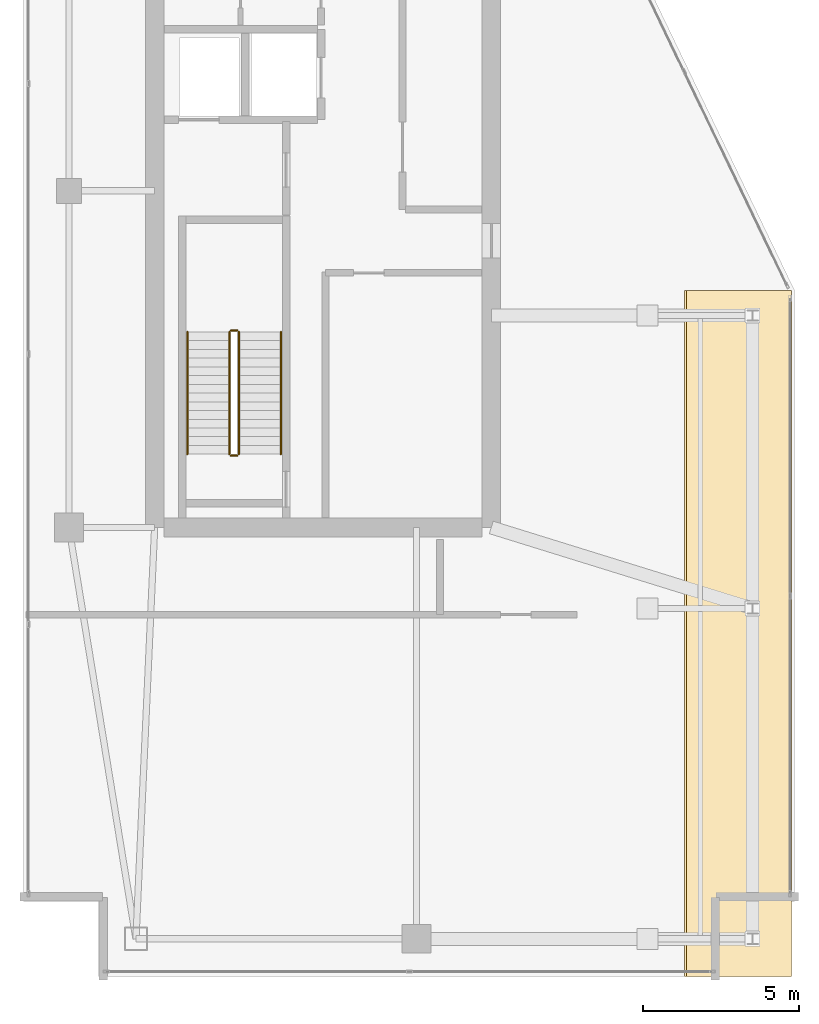
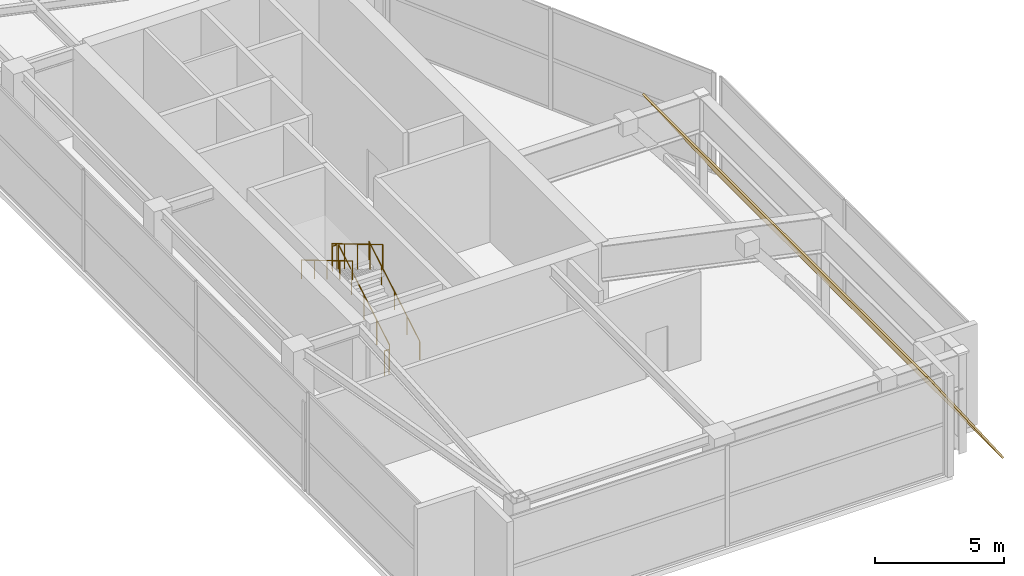
# One storey, part 19 of 20: 6 railings, 1 covering.
"""IFC4 building model written with IfcOpenShell, lengths in metres."""

from ifc_helpers import new_model, si_unit, direction, frame, origin, origin_2d, place, context, subcontext, project, spatial, polyline, circle, outline, extrude, material, layer, layer_set, type_object, element, save


model = new_model("IFC4")

# Units and contexts
model_context = context("Model", 3, precision=1e-05, world=origin(), true_north=direction((0.0, 1.0)))
body_context = subcontext(model_context, "Body", "Model", "MODEL_VIEW")
ifc_project = project(units=[si_unit("LENGTHUNIT", "METRE"), si_unit("AREAUNIT", "SQUARE_METRE"), si_unit("VOLUMEUNIT", "CUBIC_METRE"), si_unit("PLANEANGLEUNIT", "RADIAN"), si_unit("MASSUNIT", "GRAM", prefix="KILO")], contexts=[model_context])

# Site, building, storey
site_placement = place(None, origin())
site = spatial("IfcSite", under=ifc_project, at=site_placement, CompositionType="ELEMENT")
building_placement = place(site_placement, origin())
building = spatial("IfcBuilding", under=site, at=building_placement, Name="Calvorn Quay Hotel", CompositionType="ELEMENT")
storey_placement = place(building_placement, frame((0.0, 0.0, 335.5)))
storey = spatial("IfcBuildingStorey", under=building, at=storey_placement, Name="L82", CompositionType="ELEMENT", Elevation=335.5)

# Covering
ifc_material_1 = material(Name="Insulated Elastomeric Waterproof Roofing")
ifc_layer = layer(ifc_material_1, 0.080078125)
ifc_layer_set = layer_set([ifc_layer], Name="COV-ROOF-MEMBRANE")
covering_type = type_object("IfcCoveringType", Name="COV-ROOF-MEMBRANE", PredefinedType="ROOFING", material=ifc_layer_set)
covering_placement = place(storey_placement, frame((21.26708984375, 2.39990234375, 5.0), z_axis=(0.829543002826, 0.0, 0.558442840819), x_axis=(0.558442840819, 0.0, -0.829543002826)))
element("IfcCovering", 1, at=covering_placement, inside=storey, type_object=covering_type, Name="Slanted-Cut Crown Roof Cladding L82", PredefinedType="ROOFING", context=body_context, shape_type="SweptSolid", body=[
    extrude(outline(polyline([(0.0, 0.0), (6.027415074280595, 0.0), (6.027415074280595, 22.0), (0.0, 22.0), (0.0, 0.0)])), origin(), (0.0, 0.0, -1.0), 0.080078125),
])

# Railings
ifc_material_2 = material(Name="Brushed Stainless Steel Handrail", Category="steel")
railing_type_1 = type_object("IfcRailingType", Name="RLG-HANDRAIL-900", PredefinedType="HANDRAIL", material=ifc_material_2)
railing_1_placement = place(storey_placement, frame((8.25, 19.14990234375, 0.166748046875)))
element("IfcRailing", 2, at=railing_1_placement, inside=storey, type_object=railing_type_1, Name="L82 ST-W stair handrail 1", PredefinedType="HANDRAIL", context=body_context, shape_type="SweptSolid", body=[
    extrude(circle(Radius=0.02392578125, at=origin_2d()), frame((0.0, 0.0, 0.8759765625), z_axis=(0.0, 0.859310244771, 0.511454693235), x_axis=(-1.0, 0.0, 0.0)), (0.0, 0.0, 1.0), 4.56201171875),
    extrude(circle(Radius=0.02099609375, at=origin_2d()), origin(), (0.0, 0.0, 1.0), 0.851806640625),
    extrude(circle(Radius=0.02099609375, at=origin_2d()), frame((0.0, 0.97998046875, 0.583251953125)), (0.0, 0.0, 1.0), 0.851806640625),
    extrude(circle(Radius=0.02099609375, at=origin_2d()), frame((0.0, 1.9599609375, 1.16650390625)), (0.0, 0.0, 1.0), 0.851806640625),
    extrude(circle(Radius=0.02099609375, at=origin_2d()), frame((0.0, 2.940185546875, 1.75)), (0.0, 0.0, 1.0), 0.851806640625),
    extrude(circle(Radius=0.02099609375, at=origin_2d()), frame((0.0, 3.920166015625, 2.333251953125)), (0.0, 0.0, 1.0), 0.851806640625),
])
railing_2_placement = place(storey_placement, frame((5.25, 23.070068359375, 2.666748046875)))
element("IfcRailing", 3, at=railing_2_placement, inside=storey, type_object=railing_type_1, Name="L82 ST-W stair handrail 2", PredefinedType="HANDRAIL", context=body_context, shape_type="SweptSolid", body=[
    extrude(circle(Radius=0.02392578125, at=origin_2d()), frame((0.0, 0.0, 0.8759765625), z_axis=(0.0, -0.859310244771, 0.511454693235), x_axis=(1.0, 0.0, 0.0)), (0.0, 0.0, 1.0), 4.56201171875),
    extrude(circle(Radius=0.02099609375, at=origin_2d()), origin(), (0.0, 0.0, 1.0), 0.851806640625),
    extrude(circle(Radius=0.02099609375, at=origin_2d()), frame((0.0, -0.97998046875, 0.583251953125)), (0.0, 0.0, 1.0), 0.851806640625),
    extrude(circle(Radius=0.02099609375, at=origin_2d()), frame((0.0, -1.9599609375, 1.16650390625)), (0.0, 0.0, 1.0), 0.851806640625),
    extrude(circle(Radius=0.02099609375, at=origin_2d()), frame((0.0, -2.940185546875, 1.75)), (0.0, 0.0, 1.0), 0.851806640625),
    extrude(circle(Radius=0.02099609375, at=origin_2d()), frame((0.0, -3.920166015625, 2.333251953125)), (0.0, 0.0, 1.0), 0.851806640625),
])
ifc_material_3 = material(Name="Painted Galvanised Steel Balustrade", Category="steel")
railing_type_2 = type_object("IfcRailingType", Name="RLG-STAIR-GUARD-1120", PredefinedType="GUARDRAIL", material=ifc_material_3)
railing_3_placement = place(storey_placement, frame((6.89990234375, 19.14990234375, 0.166748046875)))
element("IfcRailing", 4, at=railing_3_placement, inside=storey, type_object=railing_type_2, Name="L82 ST-W stair guard 1", PredefinedType="GUARDRAIL", context=body_context, shape_type="SweptSolid", body=[
    extrude(circle(Radius=0.02392578125, at=origin_2d()), frame((0.0, 0.0, 1.17578125), z_axis=(0.0, 0.859310244771, 0.511454693235), x_axis=(-1.0, 0.0, 0.0)), (0.0, 0.0, 1.0), 4.56201171875),
    extrude(circle(Radius=0.02099609375, at=origin_2d()), origin(), (0.0, 0.0, 1.0), 1.15185546875),
    extrude(circle(Radius=0.02099609375, at=origin_2d()), frame((0.0, 0.97998046875, 0.583251953125)), (0.0, 0.0, 1.0), 1.15185546875),
    extrude(circle(Radius=0.02099609375, at=origin_2d()), frame((0.0, 1.9599609375, 1.16650390625)), (0.0, 0.0, 1.0), 1.15185546875),
    extrude(circle(Radius=0.02099609375, at=origin_2d()), frame((0.0, 2.940185546875, 1.75)), (0.0, 0.0, 1.0), 1.15185546875),
    extrude(circle(Radius=0.02099609375, at=origin_2d()), frame((0.0, 3.920166015625, 2.333251953125)), (0.0, 0.0, 1.0), 1.15185546875),
])
railing_4_placement = place(storey_placement, frame((6.85009765625, 23.1201171875, 2.5)))
element("IfcRailing", 5, at=railing_4_placement, inside=storey, type_object=railing_type_2, Name="L82 ST-W stair guard 2", PredefinedType="GUARDRAIL", context=body_context, shape_type="SweptSolid", body=[
    extrude(circle(Radius=0.02392578125, at=origin_2d()), frame((0.0, 0.0, 1.17578125), z_axis=(-1.0, 0.0, 0.0), x_axis=(0.0, -1.0, 0.0)), (0.0, 0.0, 1.0), 0.2001953125),
    extrude(circle(Radius=0.02099609375, at=origin_2d()), origin(), (0.0, 0.0, 1.0), 1.15185546875),
    extrude(circle(Radius=0.02099609375, at=origin_2d()), frame((-0.2001953125, 0.0, 0.0)), (0.0, 0.0, 1.0), 1.15185546875),
])
railing_5_placement = place(storey_placement, frame((6.60009765625, 23.070068359375, 2.666748046875)))
element("IfcRailing", 6, at=railing_5_placement, inside=storey, type_object=railing_type_2, Name="L82 ST-W stair guard 3", PredefinedType="GUARDRAIL", context=body_context, shape_type="SweptSolid", body=[
    extrude(circle(Radius=0.02392578125, at=origin_2d()), frame((0.0, 0.0, 1.17578125), z_axis=(0.0, -0.859310244771, 0.511454693235), x_axis=(1.0, 0.0, 0.0)), (0.0, 0.0, 1.0), 4.56201171875),
    extrude(circle(Radius=0.02099609375, at=origin_2d()), origin(), (0.0, 0.0, 1.0), 1.15185546875),
    extrude(circle(Radius=0.02099609375, at=origin_2d()), frame((0.0, -0.97998046875, 0.583251953125)), (0.0, 0.0, 1.0), 1.15185546875),
    extrude(circle(Radius=0.02099609375, at=origin_2d()), frame((0.0, -1.9599609375, 1.16650390625)), (0.0, 0.0, 1.0), 1.15185546875),
    extrude(circle(Radius=0.02099609375, at=origin_2d()), frame((0.0, -2.940185546875, 1.75)), (0.0, 0.0, 1.0), 1.15185546875),
    extrude(circle(Radius=0.02099609375, at=origin_2d()), frame((0.0, -3.920166015625, 2.333251953125)), (0.0, 0.0, 1.0), 1.15185546875),
])
railing_6_placement = place(storey_placement, frame((6.85009765625, 19.10009765625, 0.0)))
element("IfcRailing", 7, at=railing_6_placement, inside=storey, type_object=railing_type_2, Name="L82 ST-W stair guard 4", PredefinedType="GUARDRAIL", context=body_context, shape_type="SweptSolid", body=[
    extrude(circle(Radius=0.02392578125, at=origin_2d()), frame((0.0, 0.0, 1.17578125), z_axis=(-1.0, 0.0, 0.0), x_axis=(0.0, -1.0, 0.0)), (0.0, 0.0, 1.0), 0.2001953125),
    extrude(circle(Radius=0.02099609375, at=origin_2d()), origin(), (0.0, 0.0, 1.0), 1.15185546875),
    extrude(circle(Radius=0.02099609375, at=origin_2d()), frame((-0.2001953125, 0.0, 0.0)), (0.0, 0.0, 1.0), 1.15185546875),
])

save(model, "model.ifc")
